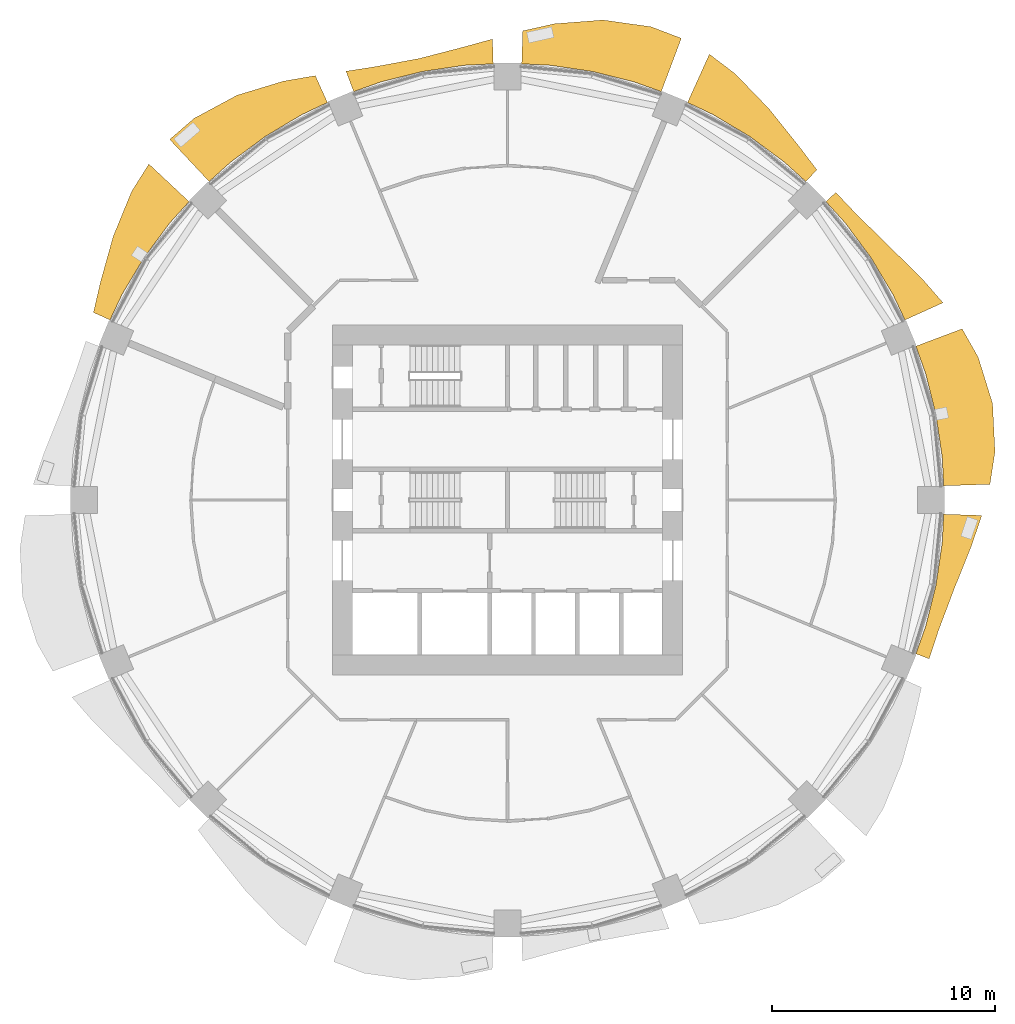
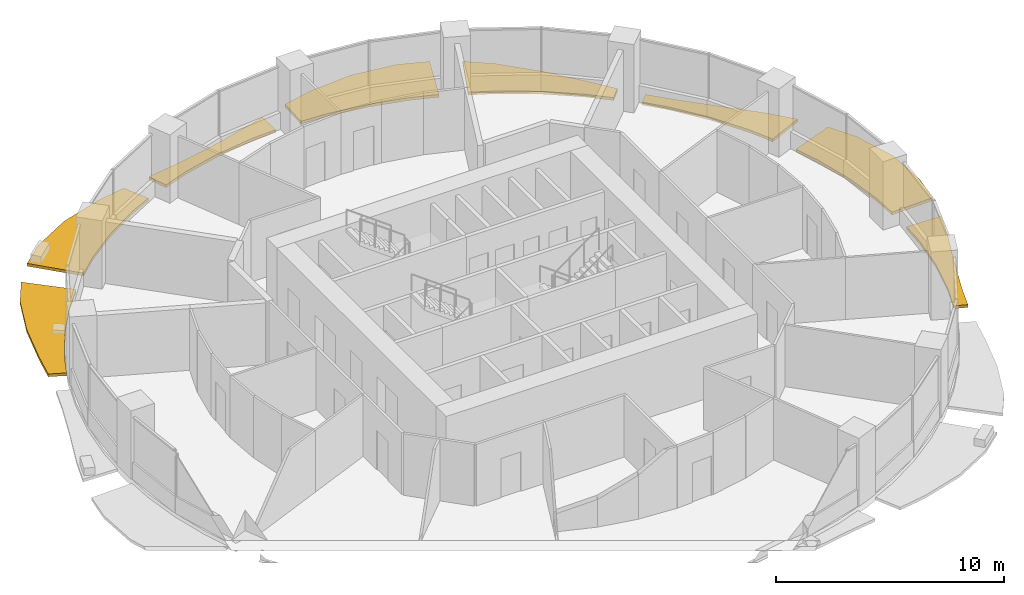
# One storey, part 14 of 15: 8 shading devices.
"""IFC4 building model written with IfcOpenShell, lengths in metres."""

from ifc_helpers import new_model, si_unit, direction, frame, origin, place, context, subcontext, project, spatial, polyline, outline, extrude, material, type_object, element, save


model = new_model("IFC4")

# Units and contexts
model_context = context("Model", 3, precision=1e-05, world=origin(), true_north=direction((0.0, 1.0)))
body_context = subcontext(model_context, "Body", "Model", "MODEL_VIEW")
ifc_project = project(units=[si_unit("LENGTHUNIT", "METRE"), si_unit("AREAUNIT", "SQUARE_METRE"), si_unit("VOLUMEUNIT", "CUBIC_METRE"), si_unit("PLANEANGLEUNIT", "RADIAN"), si_unit("MASSUNIT", "GRAM", prefix="KILO")], contexts=[model_context])

# Site, building, storey
site_placement = place(None, origin())
site = spatial("IfcSite", under=ifc_project, at=site_placement, CompositionType="ELEMENT")
building_placement = place(site_placement, origin())
building = spatial("IfcBuilding", under=site, at=building_placement, Name="Polderwave Tower", CompositionType="ELEMENT")
storey_placement = place(building_placement, frame((0.0, 0.0, 55.39990234375)))
storey = spatial("IfcBuildingStorey", under=building, at=storey_placement, Name="L14", CompositionType="ELEMENT", Elevation=55.39990234375)

# Shading devices
ifc_material = material(Name="Terracotta", Category="masonry")
shading_device_type = type_object("IfcShadingDeviceType", Name="Terracotta sunshade band", PredefinedType="USERDEFINED", material=ifc_material)
shading_device_1_placement = place(storey_placement, frame((0.0, 0.0, -0.349853515625)))
element("IfcShadingDevice", 1, at=shading_device_1_placement, inside=storey, type_object=shading_device_type, Name="Sunshade band L14 1", ObjectType="SUNSHADE", PredefinedType="USERDEFINED", context=body_context, shape_type="SweptSolid", body=[
    extrude(outline(polyline([(19.5986328125, 0.637939453125), (19.535400390625, 1.924072265625), (19.252685546875, 3.82958984375), (18.78466796875, 5.6982421875), (18.35107421875, 6.91064453125), (20.4296875, 7.693359375), (21.152587890625, 6.41650390625), (21.799560546875, 4.336181640625), (21.906982421875, 2.15771484375), (21.681884765625, 0.705810546875), (19.5986328125, 0.637939453125)])), origin(), (0.0, 0.0, 1.0), 0.14990234375),
])
shading_device_2_placement = place(storey_placement, frame((0.0, 0.0, -0.349853515625)))
element("IfcShadingDevice", 2, at=shading_device_2_placement, inside=storey, type_object=shading_device_type, Name="Sunshade band L14 2", ObjectType="SUNSHADE", PredefinedType="USERDEFINED", context=body_context, shape_type="SweptSolid", body=[
    extrude(outline(polyline([(17.862548828125, 8.089599609375), (17.31201171875, 9.25341796875), (16.32177734375, 10.90576171875), (15.17431640625, 12.453125), (14.3095703125, 13.4072265625), (14.752197265625, 13.822021484375), (15.667724609375, 12.858154296875), (17.114501953125, 11.435546875), (18.622802734375, 9.9541015625), (19.571533203125, 8.863525390625), (17.862548828125, 8.089599609375)])), origin(), (0.0, 0.0, 1.0), 0.14990234375),
])
shading_device_3_placement = place(storey_placement, frame((0.0, 0.0, -0.349853515625)))
element("IfcShadingDevice", 3, at=shading_device_3_placement, inside=storey, type_object=shading_device_type, Name="Sunshade band L14 3", ObjectType="SUNSHADE", PredefinedType="USERDEFINED", context=body_context, shape_type="SweptSolid", body=[
    extrude(outline(polyline([(13.4072265625, 14.3095703125), (12.453125, 15.17431640625), (10.90576171875, 16.32177734375), (9.25341796875, 17.31201171875), (8.089599609375, 17.862548828125), (9.072998046875, 20.033935546875), (10.236572265625, 19.151123046875), (11.7490234375, 17.583740234375), (13.073486328125, 15.93017578125), (13.903076171875, 14.838623046875), (13.4072265625, 14.3095703125)])), origin(), (0.0, 0.0, 1.0), 0.14990234375),
])
shading_device_4_placement = place(storey_placement, frame((0.0, 0.0, -0.349853515625)))
element("IfcShadingDevice", 4, at=shading_device_4_placement, inside=storey, type_object=shading_device_type, Name="Sunshade band L14 4", ObjectType="SUNSHADE", PredefinedType="USERDEFINED", context=body_context, shape_type="SweptSolid", body=[
    extrude(outline(polyline([(6.91064453125, 18.35107421875), (5.6982421875, 18.78466796875), (3.82958984375, 19.252685546875), (1.924072265625, 19.535400390625), (0.637939453125, 19.5986328125), (0.686279296875, 21.0830078125), (2.10791015625, 21.401611328125), (4.29052734375, 21.5703125), (6.451171875, 21.2666015625), (7.813232421875, 20.747802734375), (6.91064453125, 18.35107421875)])), origin(), (0.0, 0.0, 1.0), 0.14990234375),
])
shading_device_5_placement = place(storey_placement, frame((0.0, 0.0, -0.349853515625)))
element("IfcShadingDevice", 5, at=shading_device_5_placement, inside=storey, type_object=shading_device_type, Name="Sunshade band L14 5", ObjectType="SUNSHADE", PredefinedType="USERDEFINED", context=body_context, shape_type="SweptSolid", body=[
    extrude(outline(polyline([(-0.637939453125, 19.5986328125), (-1.924072265625, 19.535400390625), (-3.82958984375, 19.252685546875), (-5.6982421875, 18.78466796875), (-6.91064453125, 18.35107421875), (-7.255615234375, 19.26708984375), (-5.908935546875, 19.479248046875), (-3.947265625, 19.844482421875), (-2.004150390625, 20.348388671875), (-0.67431640625, 20.713623046875), (-0.637939453125, 19.5986328125)])), origin(), (0.0, 0.0, 1.0), 0.14990234375),
])
shading_device_6_placement = place(storey_placement, frame((0.0, 0.0, -0.349853515625)))
element("IfcShadingDevice", 6, at=shading_device_6_placement, inside=storey, type_object=shading_device_type, Name="Sunshade band L14 6", ObjectType="SUNSHADE", PredefinedType="USERDEFINED", context=body_context, shape_type="SweptSolid", body=[
    extrude(outline(polyline([(-8.089599609375, 17.862548828125), (-9.25341796875, 17.31201171875), (-10.90576171875, 16.32177734375), (-12.453125, 15.17431640625), (-13.4072265625, 14.3095703125), (-15.180419921875, 16.201904296875), (-14.078125, 17.154296875), (-12.154052734375, 18.189697265625), (-10.061279296875, 18.823486328125), (-8.6357421875, 19.068603515625), (-8.089599609375, 17.862548828125)])), origin(), (0.0, 0.0, 1.0), 0.14990234375),
])
shading_device_7_placement = place(storey_placement, frame((0.0, 0.0, -0.349853515625)))
element("IfcShadingDevice", 7, at=shading_device_7_placement, inside=storey, type_object=shading_device_type, Name="Sunshade band L14 7", ObjectType="SUNSHADE", PredefinedType="USERDEFINED", context=body_context, shape_type="SweptSolid", body=[
    extrude(outline(polyline([(-14.3095703125, 13.4072265625), (-15.17431640625, 12.453125), (-16.32177734375, 10.90576171875), (-17.31201171875, 9.25341796875), (-17.862548828125, 8.089599609375), (-18.606201171875, 8.42626953125), (-18.295166015625, 9.779052734375), (-17.720458984375, 11.84033203125), (-16.891845703125, 13.86279296875), (-16.115478515625, 15.099365234375), (-14.3095703125, 13.4072265625)])), origin(), (0.0, 0.0, 1.0), 0.14990234375),
])
shading_device_8_placement = place(storey_placement, frame((0.0, 0.0, -0.349853515625)))
element("IfcShadingDevice", 8, at=shading_device_8_placement, inside=storey, type_object=shading_device_type, Name="Sunshade band L14 16", ObjectType="SUNSHADE", PredefinedType="USERDEFINED", context=body_context, shape_type="SweptSolid", body=[
    extrude(outline(polyline([(18.35107421875, -6.91064453125), (18.78466796875, -5.6982421875), (19.252685546875, -3.82958984375), (19.535400390625, -1.924072265625), (19.5986328125, -0.637939453125), (21.3125, -0.69384765625), (20.85400390625, -2.053955078125), (20.073974609375, -3.992919921875), (19.364990234375, -5.874267578125), (18.94873046875, -7.1357421875), (18.35107421875, -6.91064453125)])), origin(), (0.0, 0.0, 1.0), 0.14990234375),
])

save(model, "model.ifc")
